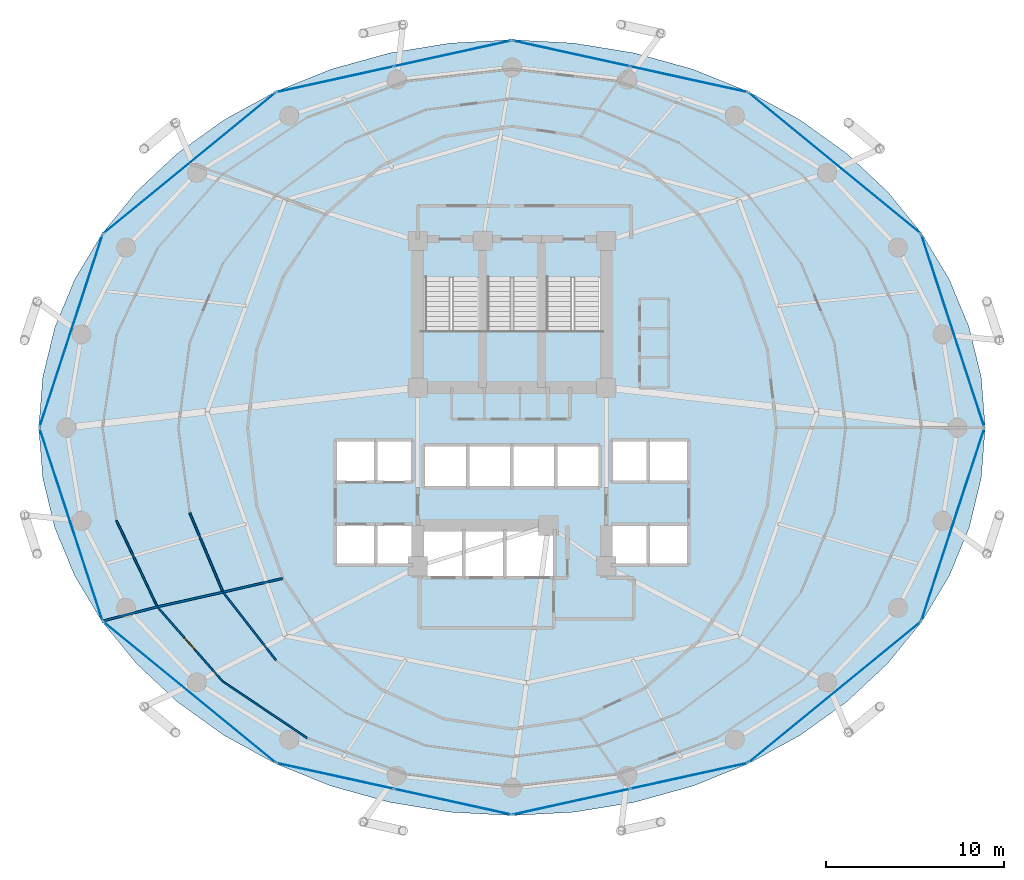
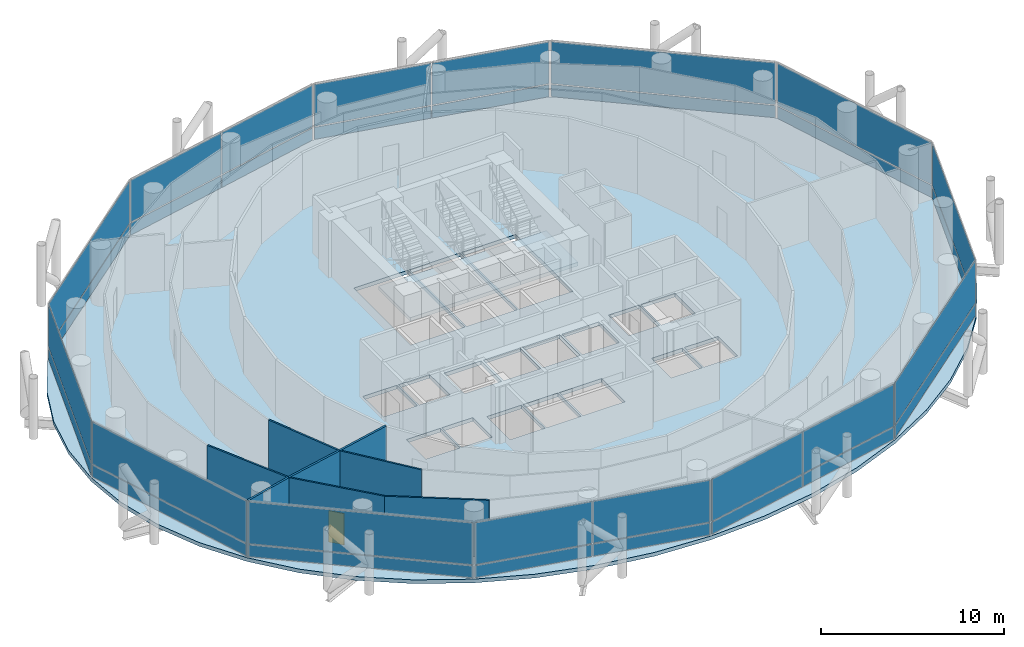
# One storey, part 20 of 26: 32 plates, 8 walls, 4 slabs, 1 door, 1 opening, 15 elements without a shape of their own.
"""IFC4 building model written with IfcOpenShell, lengths in metres."""

from ifc_helpers import new_model, si_unit, direction, frame, frame_2d, origin, origin_2d, place, context, subcontext, project, spatial, polyline, rectangle, outline, extrude, material, layer, layer_set, type_object, element, fill, aggregate, save


model = new_model("IFC4")

# Units and contexts
model_context = context("Model", 3, precision=1e-05, world=origin(), true_north=direction((0.0, 1.0)))
body_context = subcontext(model_context, "Body", "Model", "MODEL_VIEW")
ifc_project = project(units=[si_unit("LENGTHUNIT", "METRE"), si_unit("AREAUNIT", "SQUARE_METRE"), si_unit("VOLUMEUNIT", "CUBIC_METRE"), si_unit("PLANEANGLEUNIT", "RADIAN"), si_unit("MASSUNIT", "GRAM", prefix="KILO")], contexts=[model_context])

# Site, building, storey
site_placement = place(None, origin())
site = spatial("IfcSite", under=ifc_project, at=site_placement, CompositionType="ELEMENT")
building_placement = place(site_placement, origin())
building = spatial("IfcBuilding", under=site, at=building_placement, Name="Nuhasar Tower", CompositionType="ELEMENT")
storey_placement = place(building_placement, frame((0.0, 0.0, 93.89990234375)))
storey = spatial("IfcBuildingStorey", under=building, at=storey_placement, Name="L22", CompositionType="ELEMENT", Elevation=93.89990234375)

# Curtain wall, plate
ifc_material_1 = material(Name="Aluminium 6063-T6", Category="aluminium")
ifc_layer_1 = layer(ifc_material_1, 0.199951171875)
ifc_layer_set_1 = layer_set([ifc_layer_1], Name="Aluminium 6063-T6")
curtain_wall_type = type_object("IfcCurtainWallType", Name="CW-Z1-OFF", PredefinedType="NOTDEFINED", material=ifc_layer_set_1)
curtain_wall_1_placement = place(storey_placement, origin())
curtain_wall_1 = element("IfcCurtainWall", 1, at=curtain_wall_1_placement, inside=storey, type_object=curtain_wall_type, Name="L22 Unitised Curtain Wall 01", PredefinedType="NOTDEFINED")
ifc_material_2 = material(Name="Glass Double Low-E", Category="glass")
ifc_layer_2 = layer(ifc_material_2, 0.028076171875)
ifc_layer_set_2 = layer_set([ifc_layer_2], Name="Glass Double Low-E")
plate_type_1 = type_object("IfcPlateType", Name="CW-PANEL-GLZ", PredefinedType="CURTAIN_PANEL", material=ifc_layer_set_2)
plate_1_placement = place(storey_placement, frame((63.781005859375, 32.239990234375, 0.9326171875), z_axis=(0.0, 0.0, 1.0), x_axis=(-0.310823849997, 0.950467534571, 0.0)))
plate_1 = element("IfcPlate", 2, at=plate_1_placement, type_object=plate_type_1, Name="CW-Z1 panel 1.2", PredefinedType="CURTAIN_PANEL", context=body_context, shape_type="SweptSolid", body=[
    extrude(rectangle(XDim=11.31689453125, YDim=0.028076171875, at=origin_2d()), origin(), (0.0, 0.0, 1.0), 2.802490234375),
])

curtain_wall_2_placement = place(storey_placement, origin())
curtain_wall_2 = element("IfcCurtainWall", 3, at=curtain_wall_2_placement, inside=storey, type_object=curtain_wall_type, Name="L22 Unitised Curtain Wall 02", PredefinedType="NOTDEFINED")
plate_2_placement = place(storey_placement, frame((57.14111328125, 41.66259765625, 0.9326171875), z_axis=(0.0, 0.0, 1.0), x_axis=(-0.773542364946, 0.633744593376, 0.0)))
plate_2 = element("IfcPlate", 4, at=plate_2_placement, type_object=plate_type_1, Name="CW-Z1 panel 1.2", PredefinedType="CURTAIN_PANEL", context=body_context, shape_type="SweptSolid", body=[
    extrude(rectangle(XDim=12.438232421875, YDim=0.028076171875, at=origin_2d()), origin(), (0.0, 0.0, 1.0), 2.802490234375),
])

# Curtain wall, plates
curtain_wall_3_placement = place(storey_placement, origin())
curtain_wall_3 = element("IfcCurtainWall", 5, at=curtain_wall_3_placement, inside=storey, type_object=curtain_wall_type, Name="L22 Unitised Curtain Wall 03", PredefinedType="NOTDEFINED")
plate_3_placement = place(storey_placement, frame((48.944091796875, 46.377197265625, 0.9326171875), z_axis=(0.0, 0.0, 1.0), x_axis=(-0.976746221544, 0.214398737637, 0.0)))
plate_3 = element("IfcPlate", 6, at=plate_3_placement, type_object=plate_type_1, Name="CW-Z1 panel 1.2", PredefinedType="CURTAIN_PANEL", context=body_context, shape_type="SweptSolid", body=[
    extrude(rectangle(XDim=6.70068359375, YDim=0.028076171875, at=origin_2d()), origin(), (0.0, 0.0, 1.0), 2.802490234375),
])
plate_4_placement = place(storey_placement, frame((42.3359375, 47.827880859375, 0.9326171875), z_axis=(0.0, 0.0, 1.0), x_axis=(-0.976746221544, 0.214398737637, 0.0)))
plate_4 = element("IfcPlate", 7, at=plate_4_placement, type_object=plate_type_1, Name="CW-Z1 panel 2.2", PredefinedType="CURTAIN_PANEL", context=body_context, shape_type="SweptSolid", body=[
    extrude(rectangle(XDim=6.70068359375, YDim=0.028076171875, at=origin_2d()), origin(), (0.0, 0.0, 1.0), 2.802490234375),
])

curtain_wall_4_placement = place(storey_placement, origin())
curtain_wall_4 = element("IfcCurtainWall", 8, at=curtain_wall_4_placement, inside=storey, type_object=curtain_wall_type, Name="L22 Unitised Curtain Wall 04", PredefinedType="NOTDEFINED")
plate_5_placement = place(storey_placement, frame((35.6640625, 47.827880859375, 0.9326171875), z_axis=(0.0, 0.0, 1.0), x_axis=(-0.976746221544, -0.214398737637, 0.0)))
plate_5 = element("IfcPlate", 9, at=plate_5_placement, type_object=plate_type_1, Name="CW-Z1 panel 1.2", PredefinedType="CURTAIN_PANEL", context=body_context, shape_type="SweptSolid", body=[
    extrude(rectangle(XDim=6.70068359375, YDim=0.028076171875, at=origin_2d()), origin(), (0.0, 0.0, 1.0), 2.802490234375),
])
plate_6_placement = place(storey_placement, frame((29.055908203125, 46.377197265625, 0.9326171875), z_axis=(0.0, 0.0, 1.0), x_axis=(-0.976746221544, -0.214398737637, 0.0)))
plate_6 = element("IfcPlate", 10, at=plate_6_placement, type_object=plate_type_1, Name="CW-Z1 panel 2.2", PredefinedType="CURTAIN_PANEL", context=body_context, shape_type="SweptSolid", body=[
    extrude(rectangle(XDim=6.70068359375, YDim=0.028076171875, at=origin_2d()), origin(), (0.0, 0.0, 1.0), 2.802490234375),
])

# Curtain wall, plate
curtain_wall_5_placement = place(storey_placement, origin())
curtain_wall_5 = element("IfcCurtainWall", 11, at=curtain_wall_5_placement, inside=storey, type_object=curtain_wall_type, Name="L22 Unitised Curtain Wall 05", PredefinedType="NOTDEFINED")
plate_7_placement = place(storey_placement, frame((20.85888671875, 41.66259765625, 0.9326171875), z_axis=(0.0, 0.0, 1.0), x_axis=(-0.773542364946, -0.633744593376, 0.0)))
plate_7 = element("IfcPlate", 12, at=plate_7_placement, type_object=plate_type_1, Name="CW-Z1 panel 1.2", PredefinedType="CURTAIN_PANEL", context=body_context, shape_type="SweptSolid", body=[
    extrude(rectangle(XDim=12.438232421875, YDim=0.028076171875, at=origin_2d()), origin(), (0.0, 0.0, 1.0), 2.802490234375),
])

curtain_wall_6_placement = place(storey_placement, origin())
curtain_wall_6 = element("IfcCurtainWall", 13, at=curtain_wall_6_placement, inside=storey, type_object=curtain_wall_type, Name="L22 Unitised Curtain Wall 06", PredefinedType="NOTDEFINED")
plate_8_placement = place(storey_placement, frame((14.218994140625, 32.239990234375, 0.9326171875), z_axis=(0.0, 0.0, 1.0), x_axis=(-0.310823849997, -0.950467534571, 0.0)))
plate_8 = element("IfcPlate", 14, at=plate_8_placement, type_object=plate_type_1, Name="CW-Z1 panel 1.2", PredefinedType="CURTAIN_PANEL", context=body_context, shape_type="SweptSolid", body=[
    extrude(rectangle(XDim=11.31689453125, YDim=0.028076171875, at=origin_2d()), origin(), (0.0, 0.0, 1.0), 2.802490234375),
])

curtain_wall_7_placement = place(storey_placement, origin())
curtain_wall_7 = element("IfcCurtainWall", 15, at=curtain_wall_7_placement, inside=storey, type_object=curtain_wall_type, Name="L22 Unitised Curtain Wall 07", PredefinedType="NOTDEFINED")
plate_9_placement = place(storey_placement, frame((14.218994140625, 21.360107421875, 0.9326171875), z_axis=(0.0, 0.0, 1.0), x_axis=(0.310823849997, -0.950467534571, 0.0)))
plate_9 = element("IfcPlate", 16, at=plate_9_placement, type_object=plate_type_1, Name="CW-Z1 panel 1.2", PredefinedType="CURTAIN_PANEL", context=body_context, shape_type="SweptSolid", body=[
    extrude(rectangle(XDim=11.31689453125, YDim=0.028076171875, at=origin_2d()), origin(), (0.0, 0.0, 1.0), 2.802490234375),
])

curtain_wall_8_placement = place(storey_placement, origin())
curtain_wall_8 = element("IfcCurtainWall", 17, at=curtain_wall_8_placement, inside=storey, type_object=curtain_wall_type, Name="L22 Unitised Curtain Wall 08", PredefinedType="NOTDEFINED")
plate_10_placement = place(storey_placement, frame((20.85888671875, 11.9375, 0.9326171875), z_axis=(0.0, 0.0, 1.0), x_axis=(0.773542364946, -0.633744593376, 0.0)))
plate_10 = element("IfcPlate", 18, at=plate_10_placement, type_object=plate_type_1, Name="CW-Z1 panel 1.2", PredefinedType="CURTAIN_PANEL", context=body_context, shape_type="SweptSolid", body=[
    extrude(rectangle(XDim=12.438232421875, YDim=0.028076171875, at=origin_2d()), origin(), (0.0, 0.0, 1.0), 2.802490234375),
])

# Curtain wall, plates
curtain_wall_9_placement = place(storey_placement, origin())
curtain_wall_9 = element("IfcCurtainWall", 19, at=curtain_wall_9_placement, inside=storey, type_object=curtain_wall_type, Name="L22 Unitised Curtain Wall 09", PredefinedType="NOTDEFINED")
plate_11_placement = place(storey_placement, frame((29.055908203125, 7.22265625, 0.9326171875), z_axis=(0.0, 0.0, 1.0), x_axis=(0.976746221544, -0.214398737637, 0.0)))
plate_11 = element("IfcPlate", 20, at=plate_11_placement, type_object=plate_type_1, Name="CW-Z1 panel 1.2", PredefinedType="CURTAIN_PANEL", context=body_context, shape_type="SweptSolid", body=[
    extrude(rectangle(XDim=6.70068359375, YDim=0.028076171875, at=origin_2d()), origin(), (0.0, 0.0, 1.0), 2.802490234375),
])
plate_12_placement = place(storey_placement, frame((35.6640625, 5.772216796875, 0.9326171875), z_axis=(0.0, 0.0, 1.0), x_axis=(0.976746221544, -0.214398737637, 0.0)))
plate_12 = element("IfcPlate", 21, at=plate_12_placement, type_object=plate_type_1, Name="CW-Z1 panel 2.2", PredefinedType="CURTAIN_PANEL", context=body_context, shape_type="SweptSolid", body=[
    extrude(rectangle(XDim=6.70068359375, YDim=0.028076171875, at=origin_2d()), origin(), (0.0, 0.0, 1.0), 2.802490234375),
])

curtain_wall_10_placement = place(storey_placement, origin())
curtain_wall_10 = element("IfcCurtainWall", 22, at=curtain_wall_10_placement, inside=storey, type_object=curtain_wall_type, Name="L22 Unitised Curtain Wall 10", PredefinedType="NOTDEFINED")
plate_13_placement = place(storey_placement, frame((42.3359375, 5.772216796875, 0.9326171875), z_axis=(0.0, 0.0, 1.0), x_axis=(0.976746221544, 0.214398737637, 0.0)))
plate_13 = element("IfcPlate", 23, at=plate_13_placement, type_object=plate_type_1, Name="CW-Z1 panel 1.2", PredefinedType="CURTAIN_PANEL", context=body_context, shape_type="SweptSolid", body=[
    extrude(rectangle(XDim=6.70068359375, YDim=0.028076171875, at=origin_2d()), origin(), (0.0, 0.0, 1.0), 2.802490234375),
])
plate_14_placement = place(storey_placement, frame((48.944091796875, 7.22265625, 0.9326171875), z_axis=(0.0, 0.0, 1.0), x_axis=(0.976746221544, 0.214398737637, 0.0)))
plate_14 = element("IfcPlate", 24, at=plate_14_placement, type_object=plate_type_1, Name="CW-Z1 panel 2.2", PredefinedType="CURTAIN_PANEL", context=body_context, shape_type="SweptSolid", body=[
    extrude(rectangle(XDim=6.70068359375, YDim=0.028076171875, at=origin_2d()), origin(), (0.0, 0.0, 1.0), 2.802490234375),
])

# Curtain wall, plate
curtain_wall_11_placement = place(storey_placement, origin())
curtain_wall_11 = element("IfcCurtainWall", 25, at=curtain_wall_11_placement, inside=storey, type_object=curtain_wall_type, Name="L22 Unitised Curtain Wall 11", PredefinedType="NOTDEFINED")
plate_15_placement = place(storey_placement, frame((57.14111328125, 11.9375, 0.9326171875), z_axis=(0.0, 0.0, 1.0), x_axis=(0.773542364946, 0.633744593376, 0.0)))
plate_15 = element("IfcPlate", 26, at=plate_15_placement, type_object=plate_type_1, Name="CW-Z1 panel 1.2", PredefinedType="CURTAIN_PANEL", context=body_context, shape_type="SweptSolid", body=[
    extrude(rectangle(XDim=12.438232421875, YDim=0.028076171875, at=origin_2d()), origin(), (0.0, 0.0, 1.0), 2.802490234375),
])

curtain_wall_12_placement = place(storey_placement, origin())
curtain_wall_12 = element("IfcCurtainWall", 27, at=curtain_wall_12_placement, inside=storey, type_object=curtain_wall_type, Name="L22 Unitised Curtain Wall 12", PredefinedType="NOTDEFINED")
plate_16_placement = place(storey_placement, frame((63.781005859375, 21.360107421875, 0.9326171875), z_axis=(0.0, 0.0, 1.0), x_axis=(0.310823849997, 0.950467534571, 0.0)))
plate_16 = element("IfcPlate", 28, at=plate_16_placement, type_object=plate_type_1, Name="CW-Z1 panel 1.2", PredefinedType="CURTAIN_PANEL", context=body_context, shape_type="SweptSolid", body=[
    extrude(rectangle(XDim=11.31689453125, YDim=0.028076171875, at=origin_2d()), origin(), (0.0, 0.0, 1.0), 2.802490234375),
])

# Plate
ifc_material_3 = material(Name="Glass Spandrel", Category="glass")
ifc_layer_3 = layer(ifc_material_3, 0.035888671875)
ifc_layer_set_3 = layer_set([ifc_layer_3], Name="Glass Spandrel")
plate_type_2 = type_object("IfcPlateType", Name="CW-PANEL-SPN", PredefinedType="CURTAIN_PANEL", material=ifc_layer_set_3)
plate_17_placement = place(storey_placement, frame((63.781005859375, 32.239990234375, 0.06494140625), z_axis=(0.0, 0.0, 1.0), x_axis=(-0.310823849997, 0.950467534571, 0.0)))
plate_17 = element("IfcPlate", 29, at=plate_17_placement, type_object=plate_type_2, Name="CW-Z1 panel 1.1", PredefinedType="CURTAIN_PANEL", context=body_context, shape_type="SweptSolid", body=[
    extrude(rectangle(XDim=11.31689453125, YDim=0.035888671875, at=origin_2d()), origin(), (0.0, 0.0, 1.0), 0.802490234375),
])

aggregate(curtain_wall_1, [plate_17, plate_1])

plate_18_placement = place(storey_placement, frame((57.14111328125, 41.66259765625, 0.06494140625), z_axis=(0.0, 0.0, 1.0), x_axis=(-0.773542364946, 0.633744593376, 0.0)))
plate_18 = element("IfcPlate", 30, at=plate_18_placement, type_object=plate_type_2, Name="CW-Z1 panel 1.1", PredefinedType="CURTAIN_PANEL", context=body_context, shape_type="SweptSolid", body=[
    extrude(rectangle(XDim=12.438232421875, YDim=0.035888671875, at=origin_2d()), origin(), (0.0, 0.0, 1.0), 0.802490234375),
])

aggregate(curtain_wall_2, [plate_18, plate_2])

plate_19_placement = place(storey_placement, frame((48.944091796875, 46.377197265625, 0.06494140625), z_axis=(0.0, 0.0, 1.0), x_axis=(-0.976746221544, 0.214398737637, 0.0)))
plate_19 = element("IfcPlate", 31, at=plate_19_placement, type_object=plate_type_2, Name="CW-Z1 panel 1.1", PredefinedType="CURTAIN_PANEL", context=body_context, shape_type="SweptSolid", body=[
    extrude(rectangle(XDim=6.70068359375, YDim=0.035888671875, at=origin_2d()), origin(), (0.0, 0.0, 1.0), 0.802490234375),
])

plate_20_placement = place(storey_placement, frame((42.3359375, 47.827880859375, 0.06494140625), z_axis=(0.0, 0.0, 1.0), x_axis=(-0.976746221544, 0.214398737637, 0.0)))
plate_20 = element("IfcPlate", 32, at=plate_20_placement, type_object=plate_type_2, Name="CW-Z1 panel 2.1", PredefinedType="CURTAIN_PANEL", context=body_context, shape_type="SweptSolid", body=[
    extrude(rectangle(XDim=6.70068359375, YDim=0.035888671875, at=origin_2d()), origin(), (0.0, 0.0, 1.0), 0.802490234375),
])

aggregate(curtain_wall_3, [plate_19, plate_3, plate_20, plate_4])

plate_21_placement = place(storey_placement, frame((35.6640625, 47.827880859375, 0.06494140625), z_axis=(0.0, 0.0, 1.0), x_axis=(-0.976746221544, -0.214398737637, 0.0)))
plate_21 = element("IfcPlate", 33, at=plate_21_placement, type_object=plate_type_2, Name="CW-Z1 panel 1.1", PredefinedType="CURTAIN_PANEL", context=body_context, shape_type="SweptSolid", body=[
    extrude(rectangle(XDim=6.70068359375, YDim=0.035888671875, at=origin_2d()), origin(), (0.0, 0.0, 1.0), 0.802490234375),
])

plate_22_placement = place(storey_placement, frame((29.055908203125, 46.377197265625, 0.06494140625), z_axis=(0.0, 0.0, 1.0), x_axis=(-0.976746221544, -0.214398737637, 0.0)))
plate_22 = element("IfcPlate", 34, at=plate_22_placement, type_object=plate_type_2, Name="CW-Z1 panel 2.1", PredefinedType="CURTAIN_PANEL", context=body_context, shape_type="SweptSolid", body=[
    extrude(rectangle(XDim=6.70068359375, YDim=0.035888671875, at=origin_2d()), origin(), (0.0, 0.0, 1.0), 0.802490234375),
])

aggregate(curtain_wall_4, [plate_21, plate_5, plate_22, plate_6])

plate_23_placement = place(storey_placement, frame((20.85888671875, 41.66259765625, 0.06494140625), z_axis=(0.0, 0.0, 1.0), x_axis=(-0.773542364946, -0.633744593376, 0.0)))
plate_23 = element("IfcPlate", 35, at=plate_23_placement, type_object=plate_type_2, Name="CW-Z1 panel 1.1", PredefinedType="CURTAIN_PANEL", context=body_context, shape_type="SweptSolid", body=[
    extrude(rectangle(XDim=12.438232421875, YDim=0.035888671875, at=origin_2d()), origin(), (0.0, 0.0, 1.0), 0.802490234375),
])

aggregate(curtain_wall_5, [plate_23, plate_7])

plate_24_placement = place(storey_placement, frame((14.218994140625, 32.239990234375, 0.06494140625), z_axis=(0.0, 0.0, 1.0), x_axis=(-0.310823849997, -0.950467534571, 0.0)))
plate_24 = element("IfcPlate", 36, at=plate_24_placement, type_object=plate_type_2, Name="CW-Z1 panel 1.1", PredefinedType="CURTAIN_PANEL", context=body_context, shape_type="SweptSolid", body=[
    extrude(rectangle(XDim=11.31689453125, YDim=0.035888671875, at=origin_2d()), origin(), (0.0, 0.0, 1.0), 0.802490234375),
])

aggregate(curtain_wall_6, [plate_24, plate_8])

plate_25_placement = place(storey_placement, frame((14.218994140625, 21.360107421875, 0.06494140625), z_axis=(0.0, 0.0, 1.0), x_axis=(0.310823849997, -0.950467534571, 0.0)))
plate_25 = element("IfcPlate", 37, at=plate_25_placement, type_object=plate_type_2, Name="CW-Z1 panel 1.1", PredefinedType="CURTAIN_PANEL", context=body_context, shape_type="SweptSolid", body=[
    extrude(rectangle(XDim=11.31689453125, YDim=0.035888671875, at=origin_2d()), origin(), (0.0, 0.0, 1.0), 0.802490234375),
])

aggregate(curtain_wall_7, [plate_25, plate_9])

plate_26_placement = place(storey_placement, frame((20.85888671875, 11.9375, 0.06494140625), z_axis=(0.0, 0.0, 1.0), x_axis=(0.773542364946, -0.633744593376, 0.0)))
plate_26 = element("IfcPlate", 38, at=plate_26_placement, type_object=plate_type_2, Name="CW-Z1 panel 1.1", PredefinedType="CURTAIN_PANEL", context=body_context, shape_type="SweptSolid", body=[
    extrude(rectangle(XDim=12.438232421875, YDim=0.035888671875, at=origin_2d()), origin(), (0.0, 0.0, 1.0), 0.802490234375),
])

aggregate(curtain_wall_8, [plate_26, plate_10])

plate_27_placement = place(storey_placement, frame((29.055908203125, 7.22265625, 0.06494140625), z_axis=(0.0, 0.0, 1.0), x_axis=(0.976746221544, -0.214398737637, 0.0)))
plate_27 = element("IfcPlate", 39, at=plate_27_placement, type_object=plate_type_2, Name="CW-Z1 panel 1.1", PredefinedType="CURTAIN_PANEL", context=body_context, shape_type="SweptSolid", body=[
    extrude(rectangle(XDim=6.70068359375, YDim=0.035888671875, at=origin_2d()), origin(), (0.0, 0.0, 1.0), 0.802490234375),
])

plate_28_placement = place(storey_placement, frame((35.6640625, 5.772216796875, 0.06494140625), z_axis=(0.0, 0.0, 1.0), x_axis=(0.976746221544, -0.214398737637, 0.0)))
plate_28 = element("IfcPlate", 40, at=plate_28_placement, type_object=plate_type_2, Name="CW-Z1 panel 2.1", PredefinedType="CURTAIN_PANEL", context=body_context, shape_type="SweptSolid", body=[
    extrude(rectangle(XDim=6.70068359375, YDim=0.035888671875, at=origin_2d()), origin(), (0.0, 0.0, 1.0), 0.802490234375),
])

aggregate(curtain_wall_9, [plate_27, plate_11, plate_28, plate_12])

plate_29_placement = place(storey_placement, frame((42.3359375, 5.772216796875, 0.06494140625), z_axis=(0.0, 0.0, 1.0), x_axis=(0.976746221544, 0.214398737637, 0.0)))
plate_29 = element("IfcPlate", 41, at=plate_29_placement, type_object=plate_type_2, Name="CW-Z1 panel 1.1", PredefinedType="CURTAIN_PANEL", context=body_context, shape_type="SweptSolid", body=[
    extrude(rectangle(XDim=6.70068359375, YDim=0.035888671875, at=origin_2d()), origin(), (0.0, 0.0, 1.0), 0.802490234375),
])

plate_30_placement = place(storey_placement, frame((48.944091796875, 7.22265625, 0.06494140625), z_axis=(0.0, 0.0, 1.0), x_axis=(0.976746221544, 0.214398737637, 0.0)))
plate_30 = element("IfcPlate", 42, at=plate_30_placement, type_object=plate_type_2, Name="CW-Z1 panel 2.1", PredefinedType="CURTAIN_PANEL", context=body_context, shape_type="SweptSolid", body=[
    extrude(rectangle(XDim=6.70068359375, YDim=0.035888671875, at=origin_2d()), origin(), (0.0, 0.0, 1.0), 0.802490234375),
])

aggregate(curtain_wall_10, [plate_29, plate_13, plate_30, plate_14])

plate_31_placement = place(storey_placement, frame((57.14111328125, 11.9375, 0.06494140625), z_axis=(0.0, 0.0, 1.0), x_axis=(0.773542364946, 0.633744593376, 0.0)))
plate_31 = element("IfcPlate", 43, at=plate_31_placement, type_object=plate_type_2, Name="CW-Z1 panel 1.1", PredefinedType="CURTAIN_PANEL", context=body_context, shape_type="SweptSolid", body=[
    extrude(rectangle(XDim=12.438232421875, YDim=0.035888671875, at=origin_2d()), origin(), (0.0, 0.0, 1.0), 0.802490234375),
])

aggregate(curtain_wall_11, [plate_31, plate_15])

plate_32_placement = place(storey_placement, frame((63.781005859375, 21.360107421875, 0.06494140625), z_axis=(0.0, 0.0, 1.0), x_axis=(0.310823849997, 0.950467534571, 0.0)))
plate_32 = element("IfcPlate", 44, at=plate_32_placement, type_object=plate_type_2, Name="CW-Z1 panel 1.1", PredefinedType="CURTAIN_PANEL", context=body_context, shape_type="SweptSolid", body=[
    extrude(rectangle(XDim=11.31689453125, YDim=0.035888671875, at=origin_2d()), origin(), (0.0, 0.0, 1.0), 0.802490234375),
])

aggregate(curtain_wall_12, [plate_32, plate_16])

# Stair, slab
ifc_material_4 = material(Name="Concrete C45/55", Category="concrete")
stair_type_1 = type_object("IfcStairType", Name="STR-ST-01-2F-24R-1688", PredefinedType="HALF_TURN_STAIR", material=ifc_material_4)
stair_1_placement = place(storey_placement, origin())
stair_1 = element("IfcStair", 45, at=stair_1_placement, inside=storey, type_object=stair_type_1, Name="L22 Exit Stair ST-01", PredefinedType="HALF_TURN_STAIR")
ifc_layer_4 = layer(ifc_material_4, 0.239990234375)
ifc_layer_set_4 = layer_set([ifc_layer_4], Name="Concrete C45/55")
slab_type_1 = type_object("IfcSlabType", Name="SLB-STAIR-LND-240", PredefinedType="LANDING", material=ifc_layer_set_4)
slab_1_placement = place(storey_placement, frame((0.0, 0.0, 1.78515625)))
slab_1 = element("IfcSlab", 46, at=slab_1_placement, type_object=slab_type_1, Name="ST-01 landing 1", PredefinedType="LANDING", context=body_context, shape_type="SweptSolid", body=[
    extrude(outline(polyline([(33.699951171875, 28.75), (37.35009765625, 28.75), (37.35009765625, 32.239990234375), (33.699951171875, 32.239990234375), (33.699951171875, 28.75)])), origin(), (0.0, 0.0, 1.0), 0.239990234375),
])
aggregate(stair_1, [slab_1])

stair_type_2 = type_object("IfcStairType", Name="STR-ST-03-2F-24R-1688", PredefinedType="HALF_TURN_STAIR", material=ifc_material_4)
stair_2_placement = place(storey_placement, origin())
stair_2 = element("IfcStair", 47, at=stair_2_placement, inside=storey, type_object=stair_type_2, Name="L22 Exit Stair ST-03", PredefinedType="HALF_TURN_STAIR")
slab_2_placement = place(storey_placement, frame((0.0, 0.0, 1.78515625)))
slab_2 = element("IfcSlab", 48, at=slab_2_placement, type_object=slab_type_1, Name="ST-03 landing 1", PredefinedType="LANDING", context=body_context, shape_type="SweptSolid", body=[
    extrude(outline(polyline([(37.35009765625, 28.75), (40.64990234375, 28.75), (40.64990234375, 32.239990234375), (37.35009765625, 32.239990234375), (37.35009765625, 28.75)])), origin(), (0.0, 0.0, 1.0), 0.239990234375),
])
aggregate(stair_2, [slab_2])

stair_type_3 = type_object("IfcStairType", Name="STR-ST-02-2F-24R-1688", PredefinedType="HALF_TURN_STAIR", material=ifc_material_4)
stair_3_placement = place(storey_placement, origin())
stair_3 = element("IfcStair", 49, at=stair_3_placement, inside=storey, type_object=stair_type_3, Name="L22 Exit Stair ST-02", PredefinedType="HALF_TURN_STAIR")
slab_3_placement = place(storey_placement, frame((0.0, 0.0, 1.78515625)))
slab_3 = element("IfcSlab", 50, at=slab_3_placement, type_object=slab_type_1, Name="ST-02 landing 1", PredefinedType="LANDING", context=body_context, shape_type="SweptSolid", body=[
    extrude(outline(polyline([(40.64990234375, 28.75), (44.300048828125, 28.75), (44.300048828125, 32.239990234375), (40.64990234375, 32.239990234375), (40.64990234375, 28.75)])), origin(), (0.0, 0.0, 1.0), 0.239990234375),
])
aggregate(stair_3, [slab_3])

# Slab
ifc_layer_5 = layer(ifc_material_4, 0.25)
ifc_layer_set_5 = layer_set([ifc_layer_5], Name="Concrete C45/55")
slab_type_2 = type_object("IfcSlabType", Name="SLB-Z1B-250", PredefinedType="FLOOR", material=ifc_layer_set_5)
slab_4_placement = place(storey_placement, frame((0.0, 0.0, -0.25)))
element("IfcSlab", 51, at=slab_4_placement, inside=storey, type_object=slab_type_2, Name="L22 Structural Slab", PredefinedType="FLOOR", context=body_context, shape_type="SweptSolid", body=[
    extrude(outline(polyline([(65.60009765625, 26.800048828125), (65.3720703125, 29.64501953125), (64.694091796875, 32.44189453125), (63.574951171875, 35.14208984375), (62.035888671875, 37.699951171875), (60.10302734375, 40.071044921875), (57.80908203125, 42.215087890625), (55.193115234375, 44.094970703125), (52.300048828125, 45.678955078125), (49.178955078125, 46.94091796875), (45.885009765625, 47.85693359375), (42.471923828125, 48.4130859375), (39.0, 48.60009765625), (35.528076171875, 48.4130859375), (32.114990234375, 47.85693359375), (28.821044921875, 46.94091796875), (25.699951171875, 45.678955078125), (22.806884765625, 44.094970703125), (20.19091796875, 42.215087890625), (17.89697265625, 40.071044921875), (15.964111328125, 37.699951171875), (14.425048828125, 35.14208984375), (13.305908203125, 32.44189453125), (12.6279296875, 29.64501953125), (12.39990234375, 26.800048828125), (12.6279296875, 23.955078125), (13.305908203125, 21.157958984375), (14.425048828125, 18.4580078125), (15.964111328125, 15.89990234375), (17.89697265625, 13.529052734375), (20.19091796875, 11.385009765625), (22.806884765625, 9.5048828125), (25.699951171875, 7.9208984375), (28.821044921875, 6.658935546875), (32.114990234375, 5.742919921875), (35.528076171875, 5.18701171875), (39.0, 5.0), (42.471923828125, 5.18701171875), (45.885009765625, 5.742919921875), (49.178955078125, 6.658935546875), (52.300048828125, 7.9208984375), (55.193115234375, 9.5048828125), (57.80908203125, 11.385009765625), (60.10302734375, 13.529052734375), (62.035888671875, 15.89990234375), (63.574951171875, 18.4580078125), (64.694091796875, 21.157958984375), (65.3720703125, 23.955078125), (65.60009765625, 26.800048828125)]), holes=[polyline([(33.8798828125, 35.25), (37.300048828125, 35.25), (37.300048828125, 29.0), (33.8798828125, 29.0), (33.8798828125, 35.25)]), polyline([(37.39990234375, 35.25), (40.60009765625, 35.25), (40.60009765625, 29.0), (37.39990234375, 29.0), (37.39990234375, 35.25)]), polyline([(40.699951171875, 35.25), (44.1201171875, 35.25), (44.1201171875, 29.0), (40.699951171875, 29.0), (40.699951171875, 35.25)]), polyline([(29.14990234375, 26.050048828125), (31.300048828125, 26.050048828125), (31.300048828125, 23.800048828125), (29.14990234375, 23.800048828125), (29.14990234375, 26.050048828125)]), polyline([(31.39990234375, 26.050048828125), (33.35009765625, 26.050048828125), (33.35009765625, 23.800048828125), (31.39990234375, 23.800048828125), (31.39990234375, 26.050048828125)]), polyline([(29.14990234375, 21.300048828125), (31.300048828125, 21.300048828125), (31.300048828125, 19.14990234375), (29.14990234375, 19.14990234375), (29.14990234375, 21.300048828125)]), polyline([(31.39990234375, 21.300048828125), (33.35009765625, 21.300048828125), (33.35009765625, 19.14990234375), (31.39990234375, 19.14990234375), (31.39990234375, 21.300048828125)]), polyline([(44.64990234375, 26.050048828125), (46.60009765625, 26.050048828125), (46.60009765625, 23.800048828125), (44.64990234375, 23.800048828125), (44.64990234375, 26.050048828125)]), polyline([(46.699951171875, 26.050048828125), (48.85009765625, 26.050048828125), (48.85009765625, 23.800048828125), (46.699951171875, 23.800048828125), (46.699951171875, 26.050048828125)]), polyline([(44.64990234375, 21.300048828125), (46.60009765625, 21.300048828125), (46.60009765625, 19.14990234375), (44.64990234375, 19.14990234375), (44.64990234375, 21.300048828125)]), polyline([(46.699951171875, 21.300048828125), (48.85009765625, 21.300048828125), (48.85009765625, 19.14990234375), (46.699951171875, 19.14990234375), (46.699951171875, 21.300048828125)]), polyline([(34.10009765625, 25.75), (36.43994140625, 25.75), (36.43994140625, 23.5), (34.10009765625, 23.5), (34.10009765625, 25.75)]), polyline([(36.580078125, 25.75), (38.919921875, 25.75), (38.919921875, 23.5), (36.580078125, 23.5), (36.580078125, 25.75)]), polyline([(39.06005859375, 25.75), (41.39990234375, 25.75), (41.39990234375, 23.5), (39.06005859375, 23.5), (39.06005859375, 25.75)]), polyline([(41.5400390625, 25.75), (43.8798828125, 25.75), (43.8798828125, 23.5), (41.5400390625, 23.5), (41.5400390625, 25.75)]), polyline([(34.050048828125, 21.0), (36.25, 21.0), (36.25, 18.449951171875), (34.050048828125, 18.449951171875), (34.050048828125, 21.0)]), polyline([(36.35009765625, 21.0), (38.550048828125, 21.0), (38.550048828125, 18.449951171875), (36.35009765625, 18.449951171875), (36.35009765625, 21.0)]), polyline([(38.64990234375, 21.0), (41.320068359375, 21.0), (41.320068359375, 18.449951171875), (38.64990234375, 18.449951171875), (38.64990234375, 21.0)])]), origin(), (0.0, 0.0, 1.0), 0.25),
])

# Walls
ifc_layer_6 = layer(ifc_material_1, 0.10009765625)
ifc_layer_set_6 = layer_set([ifc_layer_6], Name="Aluminium 6063-T6")
wall_type_1 = type_object("IfcWallType", Name="WL-MOVABLE-100", PredefinedType="MOVABLE", material=ifc_layer_set_6)
wall_1_placement = place(storey_placement, frame((20.884033203125, 22.012939453125, 0.0), z_axis=(0.0, 0.0, 1.0), x_axis=(0.387307971266, -0.921950397469, 0.0)))
element("IfcWall", 52, at=wall_1_placement, inside=storey, type_object=wall_type_1, Name="L22 Interior Partition OR1-03-26", PredefinedType="MOVABLE", context=body_context, shape_type="SweptSolid", body=[
    extrude(rectangle(XDim=4.838623046875, YDim=0.10009765625, at=frame_2d((2.41943359375, 0.0))), origin(), (0.0, 0.0, 1.0), 3.800048828125),
])
wall_2_placement = place(storey_placement, frame((16.76611328125, 21.5859375, 0.0), z_axis=(0.0, 0.0, 1.0), x_axis=(0.42788717079, -0.903832157578, 0.0)))
element("IfcWall", 53, at=wall_2_placement, inside=storey, type_object=wall_type_1, Name="L22 Interior Partition OR2-03-26", PredefinedType="MOVABLE", context=body_context, shape_type="SweptSolid", body=[
    extrude(rectangle(XDim=5.374755859375, YDim=0.10009765625, at=frame_2d((2.6875, 0.0))), origin(), (0.0, 0.0, 1.0), 3.800048828125),
])
wall_3_placement = place(storey_placement, frame((22.758056640625, 17.552001953125, 0.0), z_axis=(0.0, 0.0, 1.0), x_axis=(0.613975436768, -0.789325131391, 0.0)))
element("IfcWall", 54, at=wall_3_placement, inside=storey, type_object=wall_type_1, Name="L22 Interior Partition OR1-04-28", PredefinedType="MOVABLE", context=body_context, shape_type="SweptSolid", body=[
    extrude(rectangle(XDim=4.853515625, YDim=0.10009765625, at=frame_2d((2.4267578125, 0.0))), origin(), (0.0, 0.0, 1.0), 3.800048828125),
])

# Wall, opening, door
wall_4_placement = place(storey_placement, frame((19.06591796875, 16.72802734375, 0.0), z_axis=(0.0, 0.0, 1.0), x_axis=(0.659192649305, -0.751974102681, 0.0)))
wall_4 = element("IfcWall", 55, at=wall_4_placement, inside=storey, type_object=wall_type_1, Name="L22 Interior Partition OR2-04-28", PredefinedType="MOVABLE", context=body_context, shape_type="SweptSolid", body=[
    extrude(rectangle(XDim=5.549560546875, YDim=0.10009765625, at=frame_2d((2.77490234375, 0.0))), origin(), (0.0, 0.0, 1.0), 3.800048828125),
])
opening_placement = place(wall_4_placement, frame((2.324951171875, 0.0, 0.0)))
opening = element("IfcOpeningElement", 56, at=opening_placement, cuts=wall_4, Name="Opening DR-01", PredefinedType="OPENING", context=body_context, shape_type="SweptSolid", body=[
    extrude(rectangle(XDim=0.89990234375, YDim=2.10009765625, at=frame_2d((0.449951171875, 1.050048828125))), frame((0.0, 0.06005859375, 0.0), z_axis=(0.0, -1.0, 0.0), x_axis=(1.0, 0.0, 0.0)), (0.0, 0.0, 1.0), 0.1201171875),
])
ifc_material_5 = material(Name="Timber Oak", Category="wood")
door_type = type_object("IfcDoorType", Name="DR-ROOM-900", OperationType="NOTDEFINED", PredefinedType="DOOR", material=ifc_material_5)
door_placement = place(opening_placement, origin())
door = element("IfcDoor", 57, at=door_placement, inside=storey, type_object=door_type, Name="L22 Members Cigar Hall Outer Door", OperationType="SINGLE_SWING_RIGHT", OverallHeight=2.10009765625, OverallWidth=0.89990234375, PredefinedType="DOOR", context=body_context, shape_type="SweptSolid", body=[
    extrude(rectangle(XDim=0.89990234375, YDim=2.10009765625, at=frame_2d((0.449951171875, 1.050048828125))), frame((0.0, 0.02490234375, 0.0), z_axis=(0.0, -1.0, 0.0), x_axis=(1.0, 0.0, 0.0)), (0.0, 0.0, 1.0), 0.050048828125),
])
fill(opening, door)

# Walls
wall_5_placement = place(storey_placement, frame((22.72412109375, 12.554931640625, 0.0), z_axis=(0.0, 0.0, 1.0), x_axis=(0.830194424377, -0.557473961485, 0.0)))
element("IfcWall", 58, at=wall_5_placement, inside=storey, type_object=wall_type_1, Name="L22 Interior Partition OR2-04-30", PredefinedType="MOVABLE", context=body_context, shape_type="SweptSolid", body=[
    extrude(rectangle(XDim=5.741943359375, YDim=0.10009765625, at=frame_2d((2.87109375, 0.0))), origin(), (0.0, 0.0, 1.0), 3.800048828125),
])
ifc_material_6 = material(Name="Gypsum Board", Category="gypsum")
ifc_layer_7 = layer(ifc_material_6, 0.125)
ifc_layer_set_7 = layer_set([ifc_layer_7], Name="Gypsum Board")
wall_type_2 = type_object("IfcWallType", Name="WL-PART-125", PredefinedType="PARTITIONING", material=ifc_layer_set_7)
wall_6_placement = place(storey_placement, frame((26.131103515625, 18.330078125, 0.0), z_axis=(0.0, 0.0, 1.0), x_axis=(-0.974411399149, -0.224771940438, 0.0)))
element("IfcWall", 59, at=wall_6_placement, inside=storey, type_object=wall_type_2, Name="L22 Interior Partition ORAD7-28-S1", PredefinedType="PARTITIONING", context=body_context, shape_type="SweptSolid", body=[
    extrude(rectangle(XDim=3.461669921875, YDim=0.125, at=frame_2d((1.73095703125, 0.0))), origin(), (0.0, 0.0, 1.0), 3.800048828125),
])
wall_7_placement = place(storey_placement, frame((22.758056640625, 17.552001953125, 0.0), z_axis=(0.0, 0.0, 1.0), x_axis=(-0.975990773868, -0.217811866812, 0.0)))
element("IfcWall", 60, at=wall_7_placement, inside=storey, type_object=wall_type_2, Name="L22 Interior Partition ORAD7-28-S2", PredefinedType="PARTITIONING", context=body_context, shape_type="SweptSolid", body=[
    extrude(rectangle(XDim=3.782958984375, YDim=0.125, at=frame_2d((1.8916015625, 0.0))), origin(), (0.0, 0.0, 1.0), 3.800048828125),
])
wall_8_placement = place(storey_placement, frame((19.06591796875, 16.72802734375, 0.0), z_axis=(0.0, 0.0, 1.0), x_axis=(-0.967787254354, -0.251769399075, 0.0)))
element("IfcWall", 61, at=wall_8_placement, inside=storey, type_object=wall_type_2, Name="L22 Interior Partition ORAD7-28-S3", PredefinedType="PARTITIONING", context=body_context, shape_type="SweptSolid", body=[
    extrude(rectangle(XDim=3.137939453125, YDim=0.125, at=frame_2d((1.56884765625, 0.0))), origin(), (0.0, 0.0, 1.0), 3.800048828125),
])

save(model, "model.ifc")
